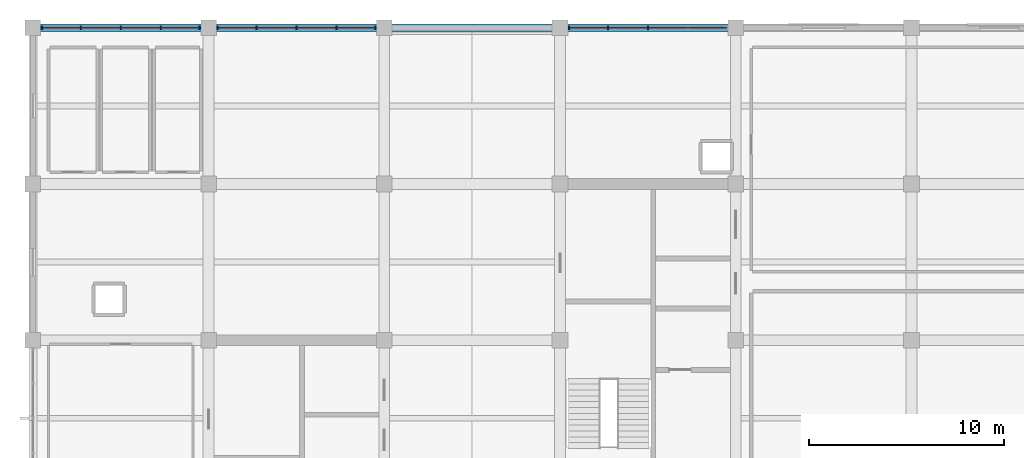
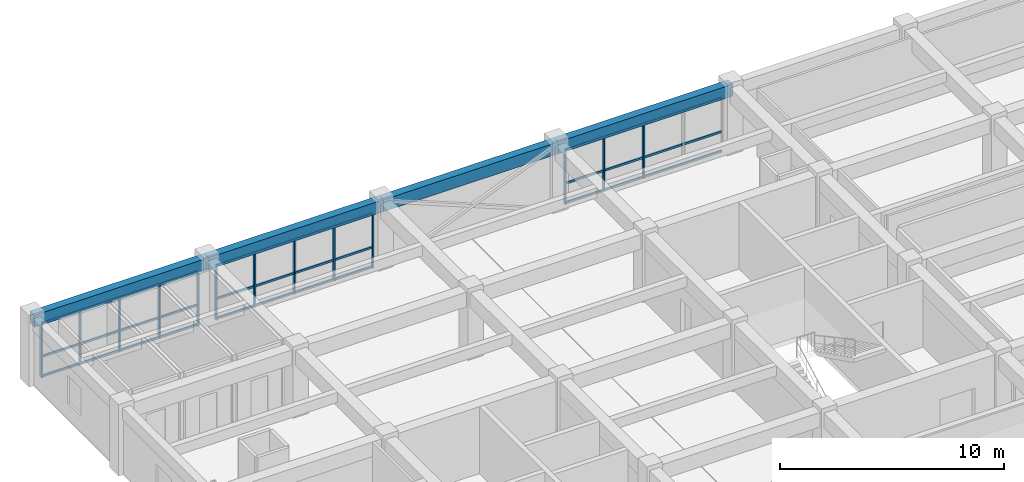
# One storey, part 9 of 17: 22 members, 4 beams, 3 elements without a shape of their own.
"""IFC4 building model written with IfcOpenShell, lengths in metres."""

from ifc_helpers import new_model, si_unit, direction, frame, origin, origin_2d, place, context, subcontext, project, spatial, rectangle, extrude, material, material_profile, profile_set, type_object, element, aggregate, save


model = new_model("IFC4")

# Units and contexts
model_context = context("Model", 3, precision=1e-05, world=origin(), true_north=direction((0.0, 1.0)))
body_context = subcontext(model_context, "Body", "Model", "MODEL_VIEW")
ifc_project = project(units=[si_unit("LENGTHUNIT", "METRE"), si_unit("AREAUNIT", "SQUARE_METRE"), si_unit("VOLUMEUNIT", "CUBIC_METRE"), si_unit("PLANEANGLEUNIT", "RADIAN"), si_unit("MASSUNIT", "GRAM", prefix="KILO")], contexts=[model_context])

# Site, building, storey
site_placement = place(None, origin())
site = spatial("IfcSite", under=ifc_project, at=site_placement, CompositionType="ELEMENT")
building_placement = place(site_placement, origin())
building = spatial("IfcBuilding", under=site, at=building_placement, Name="Zaverband Oceanarium and Marine Research Institute", CompositionType="ELEMENT")
storey_placement = place(building_placement, frame((0.0, 0.0, 33.60009765625)))
storey = spatial("IfcBuildingStorey", under=building, at=storey_placement, Name="L08", CompositionType="ELEMENT", Elevation=33.60009765625)

# Curtain wall, members
ifc_material_1 = material(Name="Thermally broken anodized aluminium and solar-control glass", Category="aluminium")
curtain_wall_type = type_object("IfcCurtainWallType", Name="CW-UNIT-1800", PredefinedType="NOTDEFINED", material=ifc_material_1)
curtain_wall_1_placement = place(storey_placement, origin())
curtain_wall_1 = element("IfcCurtainWall", 1, at=curtain_wall_1_placement, inside=storey, type_object=curtain_wall_type, Name="Unitised glazed curtain wall CW-097", PredefinedType="NOTDEFINED")
ifc_material_2 = material(Name="Thermally broken anodized aluminium", Category="aluminium")
ifc_material_profile_1 = material_profile(ifc_material_2, rectangle(XDim=0.070068359375, YDim=0.14990234375, at=origin_2d()), Name="AL-MUL-70x150")
ifc_profile_set_1 = profile_set([ifc_material_profile_1], Name="Thermally broken anodized aluminium")
member_type_1 = type_object("IfcMemberType", Name="MUL-70x150", PredefinedType="MULLION", material=ifc_profile_set_1)
member_1_placement = place(storey_placement, frame((9.465087890625, 112.0, 0.0), z_axis=(0.0, 0.0, 1.0), x_axis=(1.0, 0.0, 0.0)))
member_1 = element("IfcMember", 2, at=member_1_placement, type_object=member_type_1, Name="Curtain wall vertical mullion MUL-70x150", PredefinedType="MULLION", context=body_context, shape_type="SweptSolid", body=[
    extrude(rectangle(XDim=0.070068359375, YDim=0.14990234375, at=origin_2d()), origin(), (0.0, 0.0, 1.0), 2.97998046875),
])
member_2_placement = place(storey_placement, frame((11.452392578125, 112.0, 0.0), z_axis=(0.0, 0.0, 1.0), x_axis=(1.0, 0.0, 0.0)))
member_2 = element("IfcMember", 3, at=member_2_placement, type_object=member_type_1, Name="Curtain wall vertical mullion MUL-70x150", PredefinedType="MULLION", context=body_context, shape_type="SweptSolid", body=[
    extrude(rectangle(XDim=0.070068359375, YDim=0.14990234375, at=origin_2d()), origin(), (0.0, 0.0, 1.0), 2.97998046875),
])
member_3_placement = place(storey_placement, frame((13.5, 112.0, 0.0), z_axis=(0.0, 0.0, 1.0), x_axis=(1.0, 0.0, 0.0)))
member_3 = element("IfcMember", 4, at=member_3_placement, type_object=member_type_1, Name="Curtain wall vertical mullion MUL-70x150", PredefinedType="MULLION", context=body_context, shape_type="SweptSolid", body=[
    extrude(rectangle(XDim=0.070068359375, YDim=0.14990234375, at=origin_2d()), origin(), (0.0, 0.0, 1.0), 2.97998046875),
])
member_4_placement = place(storey_placement, frame((15.547607421875, 112.0, 0.0), z_axis=(0.0, 0.0, 1.0), x_axis=(1.0, 0.0, 0.0)))
member_4 = element("IfcMember", 5, at=member_4_placement, type_object=member_type_1, Name="Curtain wall vertical mullion MUL-70x150", PredefinedType="MULLION", context=body_context, shape_type="SweptSolid", body=[
    extrude(rectangle(XDim=0.070068359375, YDim=0.14990234375, at=origin_2d()), origin(), (0.0, 0.0, 1.0), 2.97998046875),
])
member_5_placement = place(storey_placement, frame((17.534912109375, 112.0, 0.0), z_axis=(0.0, 0.0, 1.0), x_axis=(1.0, 0.0, 0.0)))
member_5 = element("IfcMember", 6, at=member_5_placement, type_object=member_type_1, Name="Curtain wall vertical mullion MUL-70x150", PredefinedType="MULLION", context=body_context, shape_type="SweptSolid", body=[
    extrude(rectangle(XDim=0.070068359375, YDim=0.14990234375, at=origin_2d()), origin(), (0.0, 0.0, 1.0), 2.97998046875),
])

curtain_wall_2_placement = place(storey_placement, origin())
curtain_wall_2 = element("IfcCurtainWall", 7, at=curtain_wall_2_placement, inside=storey, type_object=curtain_wall_type, Name="Unitised glazed curtain wall CW-098", PredefinedType="NOTDEFINED")
member_6_placement = place(storey_placement, frame((18.465087890625, 112.0, 0.0), z_axis=(0.0, 0.0, 1.0), x_axis=(1.0, 0.0, 0.0)))
member_6 = element("IfcMember", 8, at=member_6_placement, type_object=member_type_1, Name="Curtain wall vertical mullion MUL-70x150", PredefinedType="MULLION", context=body_context, shape_type="SweptSolid", body=[
    extrude(rectangle(XDim=0.070068359375, YDim=0.14990234375, at=origin_2d()), origin(), (0.0, 0.0, 1.0), 2.97998046875),
])
member_7_placement = place(storey_placement, frame((20.452392578125, 112.0, 0.0), z_axis=(0.0, 0.0, 1.0), x_axis=(1.0, 0.0, 0.0)))
member_7 = element("IfcMember", 9, at=member_7_placement, type_object=member_type_1, Name="Curtain wall vertical mullion MUL-70x150", PredefinedType="MULLION", context=body_context, shape_type="SweptSolid", body=[
    extrude(rectangle(XDim=0.070068359375, YDim=0.14990234375, at=origin_2d()), origin(), (0.0, 0.0, 1.0), 2.97998046875),
])
member_8_placement = place(storey_placement, frame((22.5, 112.0, 0.0), z_axis=(0.0, 0.0, 1.0), x_axis=(1.0, 0.0, 0.0)))
member_8 = element("IfcMember", 10, at=member_8_placement, type_object=member_type_1, Name="Curtain wall vertical mullion MUL-70x150", PredefinedType="MULLION", context=body_context, shape_type="SweptSolid", body=[
    extrude(rectangle(XDim=0.070068359375, YDim=0.14990234375, at=origin_2d()), origin(), (0.0, 0.0, 1.0), 2.97998046875),
])
member_9_placement = place(storey_placement, frame((24.547607421875, 112.0, 0.0), z_axis=(0.0, 0.0, 1.0), x_axis=(1.0, 0.0, 0.0)))
member_9 = element("IfcMember", 11, at=member_9_placement, type_object=member_type_1, Name="Curtain wall vertical mullion MUL-70x150", PredefinedType="MULLION", context=body_context, shape_type="SweptSolid", body=[
    extrude(rectangle(XDim=0.070068359375, YDim=0.14990234375, at=origin_2d()), origin(), (0.0, 0.0, 1.0), 2.97998046875),
])
member_10_placement = place(storey_placement, frame((26.534912109375, 112.0, 0.0), z_axis=(0.0, 0.0, 1.0), x_axis=(1.0, 0.0, 0.0)))
member_10 = element("IfcMember", 12, at=member_10_placement, type_object=member_type_1, Name="Curtain wall vertical mullion MUL-70x150", PredefinedType="MULLION", context=body_context, shape_type="SweptSolid", body=[
    extrude(rectangle(XDim=0.070068359375, YDim=0.14990234375, at=origin_2d()), origin(), (0.0, 0.0, 1.0), 2.97998046875),
])

curtain_wall_3_placement = place(storey_placement, origin())
curtain_wall_3 = element("IfcCurtainWall", 13, at=curtain_wall_3_placement, inside=storey, type_object=curtain_wall_type, Name="Unitised glazed curtain wall CW-099", PredefinedType="NOTDEFINED")
member_11_placement = place(storey_placement, frame((36.465087890625, 112.0, 0.0), z_axis=(0.0, 0.0, 1.0), x_axis=(1.0, 0.0, 0.0)))
member_11 = element("IfcMember", 14, at=member_11_placement, type_object=member_type_1, Name="Curtain wall vertical mullion MUL-70x150", PredefinedType="MULLION", context=body_context, shape_type="SweptSolid", body=[
    extrude(rectangle(XDim=0.070068359375, YDim=0.14990234375, at=origin_2d()), origin(), (0.0, 0.0, 1.0), 2.97998046875),
])
member_12_placement = place(storey_placement, frame((38.452392578125, 112.0, 0.0), z_axis=(0.0, 0.0, 1.0), x_axis=(1.0, 0.0, 0.0)))
member_12 = element("IfcMember", 15, at=member_12_placement, type_object=member_type_1, Name="Curtain wall vertical mullion MUL-70x150", PredefinedType="MULLION", context=body_context, shape_type="SweptSolid", body=[
    extrude(rectangle(XDim=0.070068359375, YDim=0.14990234375, at=origin_2d()), origin(), (0.0, 0.0, 1.0), 2.97998046875),
])
member_13_placement = place(storey_placement, frame((40.5, 112.0, 0.0), z_axis=(0.0, 0.0, 1.0), x_axis=(1.0, 0.0, 0.0)))
member_13 = element("IfcMember", 16, at=member_13_placement, type_object=member_type_1, Name="Curtain wall vertical mullion MUL-70x150", PredefinedType="MULLION", context=body_context, shape_type="SweptSolid", body=[
    extrude(rectangle(XDim=0.070068359375, YDim=0.14990234375, at=origin_2d()), origin(), (0.0, 0.0, 1.0), 2.97998046875),
])

# Beams
ifc_material_3 = material(Name="Concrete C40/50", Category="concrete")
ifc_material_profile_2 = material_profile(ifc_material_3, rectangle(XDim=0.39990234375, YDim=0.64990234375, at=origin_2d()), Name="RC400x650")
ifc_profile_set_2 = profile_set([ifc_material_profile_2], Name="Concrete C40/50")
beam_type = type_object("IfcBeamType", Name="SPN-400x650", PredefinedType="SPANDREL", material=ifc_profile_set_2)
for number, where, z_axis, x_axis, name in (
    (17, (9.0, 112.0, 3.324951171875), (1.0, 0.0, 0.0), (0.0, 1.0, 0.0), "Perimeter spandrel beam SPN-400x650"),
    (18, (18.0, 112.0, 3.324951171875), (1.0, 0.0, 0.0), (0.0, 1.0, 0.0), "Perimeter spandrel beam SPN-400x650"),
    (19, (27.0, 112.0, 3.324951171875), (1.0, 0.0, 0.0), (0.0, 1.0, 0.0), "Perimeter spandrel beam SPN-400x650"),
    (20, (36.0, 112.0, 3.324951171875), (1.0, 0.0, 0.0), (0.0, 1.0, 0.0), "Perimeter spandrel beam SPN-400x650"),
):
    element("IfcBeam", number, at=place(storey_placement, frame(where, z_axis=z_axis, x_axis=x_axis)), inside=storey, type_object=beam_type, Name=name, PredefinedType="SPANDREL", context=body_context, shape_type="SweptSolid", body=[
        extrude(rectangle(XDim=0.39990234375, YDim=0.64990234375, at=origin_2d()), origin(), (0.0, 0.0, 1.0), 9.0),
    ])

# Member
ifc_material_profile_3 = material_profile(ifc_material_2, rectangle(XDim=0.070068359375, YDim=0.114990234375, at=origin_2d()), Name="AL-TRN-70x115")
ifc_profile_set_3 = profile_set([ifc_material_profile_3], Name="Thermally broken anodized aluminium")
member_type_2 = type_object("IfcMemberType", Name="TRN-70x115", PredefinedType="USERDEFINED", material=ifc_profile_set_3)
member_14_placement = place(storey_placement, frame((9.465087890625, 112.0, 0.0498046875), z_axis=(1.0, 0.0, 0.0), x_axis=(0.0, 1.0, 0.0)))
member_14 = element("IfcMember", 21, at=member_14_placement, type_object=member_type_2, Name="Curtain wall horizontal transom TRN-70x115", ObjectType="TRANSOM", PredefinedType="USERDEFINED", context=body_context, shape_type="SweptSolid", body=[
    extrude(rectangle(XDim=0.070068359375, YDim=0.114990234375, at=origin_2d()), origin(), (0.0, 0.0, 1.0), 8.06982421875),
])

member_15_placement = place(storey_placement, frame((9.465087890625, 112.0, 1.122802734375), z_axis=(1.0, 0.0, 0.0), x_axis=(0.0, 1.0, 0.0)))
member_15 = element("IfcMember", 22, at=member_15_placement, type_object=member_type_2, Name="Curtain wall horizontal transom TRN-70x115", ObjectType="TRANSOM", PredefinedType="USERDEFINED", context=body_context, shape_type="SweptSolid", body=[
    extrude(rectangle(XDim=0.070068359375, YDim=0.114990234375, at=origin_2d()), origin(), (0.0, 0.0, 1.0), 8.06982421875),
])

member_16_placement = place(storey_placement, frame((9.465087890625, 112.0, 2.929931640625), z_axis=(1.0, 0.0, 0.0), x_axis=(0.0, 1.0, 0.0)))
member_16 = element("IfcMember", 23, at=member_16_placement, type_object=member_type_2, Name="Curtain wall horizontal transom TRN-70x115", ObjectType="TRANSOM", PredefinedType="USERDEFINED", context=body_context, shape_type="SweptSolid", body=[
    extrude(rectangle(XDim=0.070068359375, YDim=0.114990234375, at=origin_2d()), origin(), (0.0, 0.0, 1.0), 8.06982421875),
])

aggregate(curtain_wall_1, [member_1, member_2, member_3, member_4, member_5, member_14, member_15, member_16])

member_17_placement = place(storey_placement, frame((18.465087890625, 112.0, 0.0498046875), z_axis=(1.0, 0.0, 0.0), x_axis=(0.0, 1.0, 0.0)))
member_17 = element("IfcMember", 24, at=member_17_placement, type_object=member_type_2, Name="Curtain wall horizontal transom TRN-70x115", ObjectType="TRANSOM", PredefinedType="USERDEFINED", context=body_context, shape_type="SweptSolid", body=[
    extrude(rectangle(XDim=0.070068359375, YDim=0.114990234375, at=origin_2d()), origin(), (0.0, 0.0, 1.0), 8.06982421875),
])

member_18_placement = place(storey_placement, frame((18.465087890625, 112.0, 1.122802734375), z_axis=(1.0, 0.0, 0.0), x_axis=(0.0, 1.0, 0.0)))
member_18 = element("IfcMember", 25, at=member_18_placement, type_object=member_type_2, Name="Curtain wall horizontal transom TRN-70x115", ObjectType="TRANSOM", PredefinedType="USERDEFINED", context=body_context, shape_type="SweptSolid", body=[
    extrude(rectangle(XDim=0.070068359375, YDim=0.114990234375, at=origin_2d()), origin(), (0.0, 0.0, 1.0), 8.06982421875),
])

member_19_placement = place(storey_placement, frame((18.465087890625, 112.0, 2.929931640625), z_axis=(1.0, 0.0, 0.0), x_axis=(0.0, 1.0, 0.0)))
member_19 = element("IfcMember", 26, at=member_19_placement, type_object=member_type_2, Name="Curtain wall horizontal transom TRN-70x115", ObjectType="TRANSOM", PredefinedType="USERDEFINED", context=body_context, shape_type="SweptSolid", body=[
    extrude(rectangle(XDim=0.070068359375, YDim=0.114990234375, at=origin_2d()), origin(), (0.0, 0.0, 1.0), 8.06982421875),
])

aggregate(curtain_wall_2, [member_6, member_7, member_8, member_9, member_10, member_17, member_18, member_19])

member_20_placement = place(storey_placement, frame((36.465087890625, 112.0, 0.0498046875), z_axis=(1.0, 0.0, 0.0), x_axis=(0.0, 1.0, 0.0)))
member_20 = element("IfcMember", 27, at=member_20_placement, type_object=member_type_2, Name="Curtain wall horizontal transom TRN-70x115", ObjectType="TRANSOM", PredefinedType="USERDEFINED", context=body_context, shape_type="SweptSolid", body=[
    extrude(rectangle(XDim=0.070068359375, YDim=0.114990234375, at=origin_2d()), origin(), (0.0, 0.0, 1.0), 8.06982421875),
])

member_21_placement = place(storey_placement, frame((36.465087890625, 112.0, 1.122802734375), z_axis=(1.0, 0.0, 0.0), x_axis=(0.0, 1.0, 0.0)))
member_21 = element("IfcMember", 28, at=member_21_placement, type_object=member_type_2, Name="Curtain wall horizontal transom TRN-70x115", ObjectType="TRANSOM", PredefinedType="USERDEFINED", context=body_context, shape_type="SweptSolid", body=[
    extrude(rectangle(XDim=0.070068359375, YDim=0.114990234375, at=origin_2d()), origin(), (0.0, 0.0, 1.0), 8.06982421875),
])

member_22_placement = place(storey_placement, frame((36.465087890625, 112.0, 2.929931640625), z_axis=(1.0, 0.0, 0.0), x_axis=(0.0, 1.0, 0.0)))
member_22 = element("IfcMember", 29, at=member_22_placement, type_object=member_type_2, Name="Curtain wall horizontal transom TRN-70x115", ObjectType="TRANSOM", PredefinedType="USERDEFINED", context=body_context, shape_type="SweptSolid", body=[
    extrude(rectangle(XDim=0.070068359375, YDim=0.114990234375, at=origin_2d()), origin(), (0.0, 0.0, 1.0), 8.06982421875),
])

aggregate(curtain_wall_3, [member_11, member_12, member_13, member_20, member_21, member_22])

save(model, "model.ifc")
